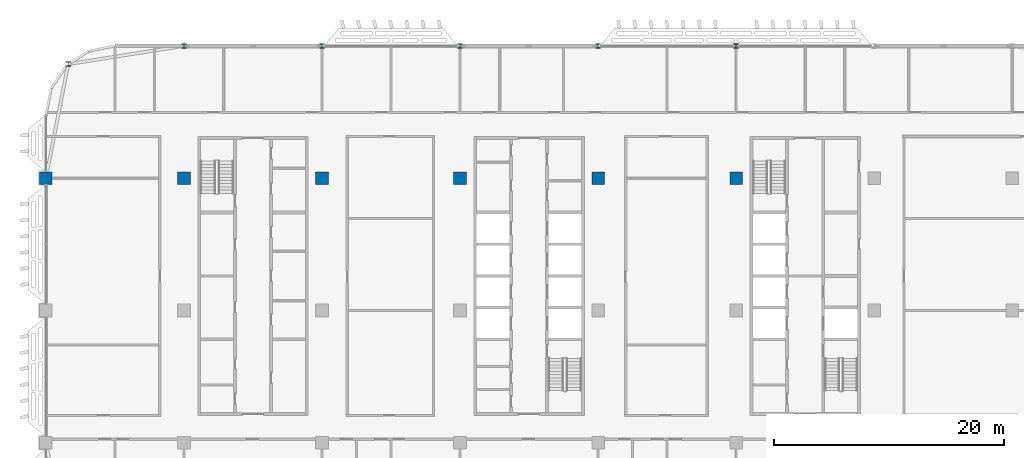
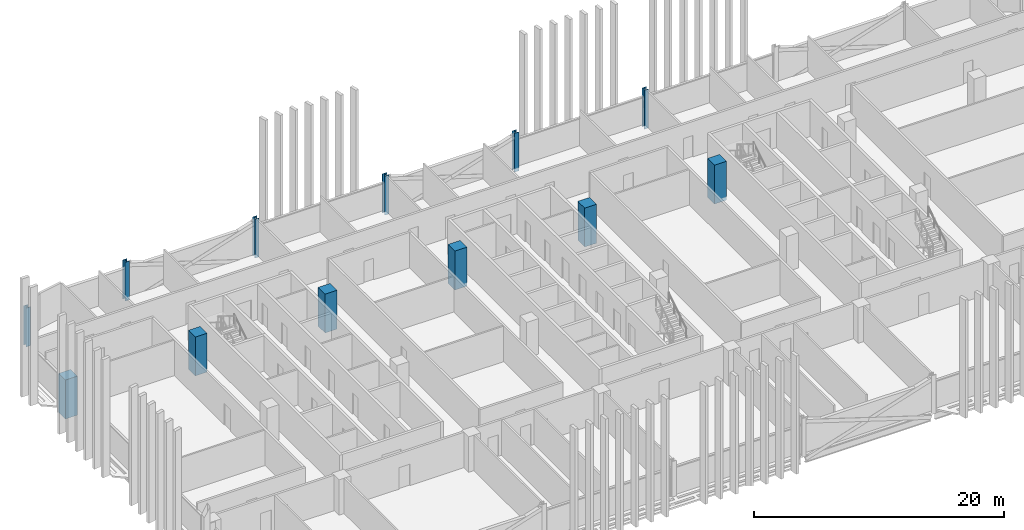
# One storey, part 2 of 30: 12 columns.
"""IFC4 building model written with IfcOpenShell, lengths in metres."""

import ifcopenshell
import ifcopenshell.guid

model = None  # the IFC model being written
_history = None  # IfcOwnerHistory: only IFC2X3 demands one
_inside = {}  # id of a spatial element -> (the spatial element, [elements in it])
_under = {}  # id of a project, library or spatial element -> (it, [spatial elements below it])
_declared = {}  # id of a project -> (the project, [libraries it declares])
_typed = {}  # id of a type object -> (the type object, [elements of that type])
_made_of = {}  # id of a material, layer set ... -> (it, [elements and type objects made of it])


def new_model(schema):
    """Start an empty IFC model of exactly this schema.

    Asked for "IFC4X3", IfcOpenShell would pick the latest addendum, in which some entities
    have other attributes; the version numbers below select the first issue.
    IFC2X3 requires an IfcOwnerHistory on every rooted entity: one is made here for all.
    """
    global model, _history
    if schema == "IFC4X3":
        model = ifcopenshell.file(schema_version=(4, 3, 0, 0))
    else:
        model = ifcopenshell.file(schema=schema)
    _inside.clear()
    _under.clear()
    _declared.clear()
    _typed.clear()
    _made_of.clear()
    _history = None
    if model.schema == "IFC2X3":
        org = make("IfcOrganization", Name="unknown")
        user = make(
            "IfcPersonAndOrganization",
            ThePerson=make("IfcPerson", FamilyName="unknown"),
            TheOrganization=org,
        )
        app = make(
            "IfcApplication",
            ApplicationDeveloper=org,
            Version="unknown",
            ApplicationFullName="unknown",
            ApplicationIdentifier="unknown",
        )
        _history = make(
            "IfcOwnerHistory",
            OwningUser=user,
            OwningApplication=app,
            ChangeAction="ADDED",
            CreationDate=0,
        )
    return model


def make(cls, **values):
    """One entity of the class cls with the attributes given. An attribute that is None is left unset."""
    return model.create_entity(
        cls, **{name: value for name, value in values.items() if value is not None}
    )


def rooted(cls, **values):
    """An entity with a GlobalId (a new one), such as an element, a storey or a relation."""
    return make(cls, GlobalId=ifcopenshell.guid.new(), OwnerHistory=_history, **values)


def si_unit(unit_type, name, prefix=None):
    """IfcSIUnit, for example si_unit("LENGTHUNIT", "METRE", prefix="MILLI")."""
    return make("IfcSIUnit", UnitType=unit_type, Prefix=prefix, Name=name)


def assignment(units):
    """IfcUnitAssignment: the units of a project."""
    return None if units is None else make("IfcUnitAssignment", Units=units)


def point(xyz):
    """IfcCartesianPoint."""
    return None if xyz is None else make("IfcCartesianPoint", Coordinates=xyz)


def direction(xyz):
    """IfcDirection."""
    return None if xyz is None else make("IfcDirection", DirectionRatios=xyz)


def frame(location, z_axis=None, x_axis=None):
    """IfcAxis2Placement3D, a coordinate frame: its origin and axes. An axis left out is left unset."""
    return make(
        "IfcAxis2Placement3D",
        Location=point(location),
        Axis=direction(z_axis),
        RefDirection=direction(x_axis),
    )


def frame_2d(location, x_axis=None):
    """IfcAxis2Placement2D, a coordinate frame in the plane: its origin and x axis."""
    return make(
        "IfcAxis2Placement2D", Location=point(location), RefDirection=direction(x_axis)
    )


def origin():
    """The frame at (0, 0, 0) with its axes left unset."""
    return frame((0.0, 0.0, 0.0))


def origin_2d():
    """The frame at (0, 0) in the plane with its x axis left unset."""
    return frame_2d((0.0, 0.0))


def place(relative_to, where):
    """IfcLocalPlacement: puts the frame where relative to a parent placement (None: the world)."""
    return make(
        "IfcLocalPlacement", PlacementRelTo=relative_to, RelativePlacement=where
    )


def context(
    kind, dimensions, precision=None, world=None, true_north=None, identifier=None
):
    """IfcGeometricRepresentationContext, for example the 3D "Model" context."""
    return make(
        "IfcGeometricRepresentationContext",
        ContextIdentifier=identifier,
        ContextType=kind,
        CoordinateSpaceDimension=dimensions,
        Precision=precision,
        WorldCoordinateSystem=world,
        TrueNorth=true_north,
    )


def subcontext(parent, identifier, kind, view, scale=None):
    """IfcGeometricRepresentationSubContext, for example "Body" below "Model"."""
    return make(
        "IfcGeometricRepresentationSubContext",
        ContextIdentifier=identifier,
        ContextType=kind,
        ParentContext=parent,
        TargetScale=scale,
        TargetView=view,
    )


def project(units=None, contexts=None):
    """IfcProject with its units and contexts."""
    return rooted(
        "IfcProject",
        Name="project",
        RepresentationContexts=contexts,
        UnitsInContext=assignment(units),
    )


def spatial(cls, under=None, at=None, **own):
    """A site, building, storey or space (cls), placed at a placement, below another one or the project."""
    s = rooted(cls, ObjectPlacement=at, **own)
    if under is not None:
        _under.setdefault(under.id(), (under, []))[1].append(s)
    return s


def profile(cls, at=None, kind="AREA", **sizes):
    """A parametric profile (cls). Its sizes go by their IFC names, for example OverallWidth=200.0."""
    return make(cls, ProfileType=kind, Position=at, **sizes)


def rectangle(**sizes):
    """IfcRectangleProfileDef."""
    return profile("IfcRectangleProfileDef", **sizes)


def i_section(**sizes):
    """IfcIShapeProfileDef."""
    return profile("IfcIShapeProfileDef", **sizes)


def extrude(swept, where, along, depth):
    """IfcExtrudedAreaSolid: the profile swept, set in the frame where, extruded along a direction by depth."""
    return make(
        "IfcExtrudedAreaSolid",
        SweptArea=swept,
        Position=where,
        ExtrudedDirection=direction(along),
        Depth=depth,
    )


def shape(context_of_items, identifier, shape_type, items):
    """IfcShapeRepresentation: the items that make up one representation, for example the "Body"."""
    return make(
        "IfcShapeRepresentation",
        ContextOfItems=context_of_items,
        RepresentationIdentifier=identifier,
        RepresentationType=shape_type,
        Items=items,
    )


def material(Name=None, Category=None):
    """IfcMaterial."""
    return make("IfcMaterial", Name=Name, Category=Category)


def material_profile(
    of_material, cross_section, Name=None, Category=None, Priority=None
):
    """IfcMaterialProfile: a cross section and its material."""
    return make(
        "IfcMaterialProfile",
        Name=Name,
        Material=of_material,
        Profile=cross_section,
        Priority=Priority,
        Category=Category,
    )


def profile_set(profiles, Name=None, composite=None):
    """IfcMaterialProfileSet."""
    return make(
        "IfcMaterialProfileSet",
        Name=Name,
        MaterialProfiles=profiles,
        CompositeProfile=composite,
    )


def made_of(thing, what):
    """Note that an element or type object is made of a material, layer set ...; save() writes the relation."""
    if what is not None:
        _made_of.setdefault(what.id(), (what, []))[1].append(thing)
    return thing


def type_object(cls, material=None, **own):
    """A type object (cls), such as IfcWallType, which elements share."""
    return made_of(rooted(cls, **own), material)


def element(
    cls,
    number,
    at=None,
    inside=None,
    cuts=None,
    type_object=None,
    material=None,
    context=None,
    identifier="Body",
    shape_type=None,
    held_by="IfcProductDefinitionShape",
    body=None,
    shapes=None,
    **own,
):
    """One element of the class cls, such as IfcWall. Its Tag is "e" and its number.

    at: its placement. inside: the storey or other place that contains it. cuts: it is an
    opening in that element (IfcRelVoidsElement). A single representation is given by context,
    identifier, shape_type and body (its items); several are given by shapes. held_by: the class
    of the entity that holds the representations. save() writes the other relations.
    """
    e = rooted(cls, Tag="e%d" % number, ObjectPlacement=at, **own)
    if body is not None:
        shapes = [shape(context, identifier, shape_type, body)]
    if shapes is not None:
        e.Representation = make(held_by, Representations=shapes)
    if inside is not None:
        _inside.setdefault(inside.id(), (inside, []))[1].append(e)
    if cuts is not None:
        rooted(
            "IfcRelVoidsElement", RelatingBuildingElement=cuts, RelatedOpeningElement=e
        )
    if type_object is not None:
        _typed.setdefault(type_object.id(), (type_object, []))[1].append(e)
    return made_of(e, material)


def aggregate(whole, parts):
    """IfcRelAggregates: a whole, such as a stair, and the parts it consists of."""
    return rooted("IfcRelAggregates", RelatingObject=whole, RelatedObjects=parts)


def save(model, path):
    """Write the relations noted so far, then the file.

    IfcRelAggregates (storeys below a building ...), IfcRelContainedInSpatialStructure (elements
    in a storey), IfcRelDefinesByType, IfcRelAssociatesMaterial and IfcRelDeclares: one each for
    every whole, place, type object, material and project.
    """
    for whole, parts in _under.values():
        aggregate(whole, parts)
    for where, things in _inside.values():
        rooted(
            "IfcRelContainedInSpatialStructure",
            RelatedElements=things,
            RelatingStructure=where,
        )
    for kind, things in _typed.values():
        rooted("IfcRelDefinesByType", RelatedObjects=things, RelatingType=kind)
    for what, things in _made_of.values():
        rooted("IfcRelAssociatesMaterial", RelatedObjects=things, RelatingMaterial=what)
    for by, libraries in _declared.values():
        rooted("IfcRelDeclares", RelatingContext=by, RelatedDefinitions=libraries)
    model.write(path)


model = new_model("IFC4")

# Units and contexts
model_context = context("Model", 3, precision=1e-05, world=origin(), true_north=direction((0.0, 1.0)))
body_context = subcontext(model_context, "Body", "Model", "MODEL_VIEW")
ifc_project = project(units=[si_unit("LENGTHUNIT", "METRE"), si_unit("AREAUNIT", "SQUARE_METRE"), si_unit("VOLUMEUNIT", "CUBIC_METRE"), si_unit("PLANEANGLEUNIT", "RADIAN"), si_unit("MASSUNIT", "GRAM", prefix="KILO")], contexts=[model_context])

# Site, building, storey
site_placement = place(None, origin())
site = spatial("IfcSite", under=ifc_project, at=site_placement, CompositionType="ELEMENT")
building_placement = place(site_placement, origin())
building = spatial("IfcBuilding", under=site, at=building_placement, Name="Mahtab Terrace Research Tower", CompositionType="ELEMENT")
storey_placement = place(building_placement, frame((0.0, 0.0, 209.10009765625)))
storey = spatial("IfcBuildingStorey", under=building, at=storey_placement, Name="L50", CompositionType="ELEMENT", Elevation=209.10009765625)

# Columns
ifc_material_1 = material(Name="Concrete C70/85", Category="concrete")
ifc_material_profile_1 = material_profile(ifc_material_1, rectangle(XDim=1.10009765625, YDim=1.10009765625, at=origin_2d()), Name="RC column 1100x1100")
ifc_profile_set_1 = profile_set([ifc_material_profile_1], Name="Concrete C70/85")
column_type_1 = type_object("IfcColumnType", Name="RC column 1100x1100", PredefinedType="COLUMN", material=ifc_profile_set_1)
for number, where, z_axis, x_axis, name in (
    (1, (-42.0, 11.5, -0.340087890625), (0.0, 0.0, 1.0), (1.0, 0.0, 0.0), "Column RC-1C L50"),
    (2, (-30.0, 11.5, -0.340087890625), (0.0, 0.0, 1.0), (1.0, 0.0, 0.0), "Column RC-2C L50"),
    (3, (-18.0, 11.5, -0.340087890625), (0.0, 0.0, 1.0), (1.0, 0.0, 0.0), "Column RC-3C L50"),
    (4, (-6.0, 11.5, -0.340087890625), (0.0, 0.0, 1.0), (1.0, 0.0, 0.0), "Column RC-4C L50"),
    (5, (6.0, 11.5, -0.340087890625), (0.0, 0.0, 1.0), (1.0, 0.0, 0.0), "Column RC-5C L50"),
    (6, (18.0, 11.5, -0.340087890625), (0.0, 0.0, 1.0), (1.0, 0.0, 0.0), "Column RC-6C L50"),
):
    element("IfcColumn", number, at=place(storey_placement, frame(where, z_axis=z_axis, x_axis=x_axis)), inside=storey, type_object=column_type_1, Name=name, PredefinedType="COLUMN", context=body_context, shape_type="SweptSolid", body=[
        extrude(rectangle(XDim=1.10009765625, YDim=1.10009765625, at=origin_2d()), origin(), (0.0, 0.0, 1.0), 3.800048828125),
    ])
ifc_material_2 = material(Name="Steel ASTM A992 Gr 50", Category="steel")
ifc_material_profile_2 = material_profile(ifc_material_2, i_section(OverallWidth=0.4013671875, OverallDepth=0.398681640625, WebThickness=0.02490234375, FlangeThickness=0.03955078125, at=origin_2d()), Name="W14X211")
ifc_profile_set_2 = profile_set([ifc_material_profile_2], Name="Steel ASTM A992 Gr 50")
column_type_2 = type_object("IfcColumnType", Name="W14x211 column CS14211", PredefinedType="COLUMN", material=ifc_profile_set_2)
for number, where, z_axis, x_axis, name in (
    (7, (18.0, 23.0, -0.340087890625), (0.0, 0.0, 1.0), (1.0, 0.0, 0.0), "Column SC-003 L50"),
    (8, (6.0, 23.0, -0.340087890625), (0.0, 0.0, 1.0), (1.0, 0.0, 0.0), "Column SC-004 L50"),
    (9, (-6.0, 23.0, -0.340087890625), (0.0, 0.0, 1.0), (1.0, 0.0, 0.0), "Column SC-005 L50"),
    (10, (-18.0, 23.0, -0.340087890625), (0.0, 0.0, 1.0), (1.0, 0.0, 0.0), "Column SC-006 L50"),
    (11, (-30.0, 23.0, -0.340087890625), (0.0, 0.0, 1.0), (1.0, 0.0, 0.0), "Column SC-007 L50"),
    (12, (-40.06201171875, 21.416015625, -0.340087890625), (0.0, 0.0, 1.0), (1.0, 0.0, 0.0), "Column SC-024 L50"),
):
    element("IfcColumn", number, at=place(storey_placement, frame(where, z_axis=z_axis, x_axis=x_axis)), inside=storey, type_object=column_type_2, Name=name, PredefinedType="COLUMN", context=body_context, shape_type="SweptSolid", body=[
        extrude(i_section(OverallWidth=0.4013671875, OverallDepth=0.398681640625, WebThickness=0.02490234375, FlangeThickness=0.03955078125, at=origin_2d()), origin(), (0.0, 0.0, 1.0), 3.800048828125),
    ])

save(model, "model.ifc")
